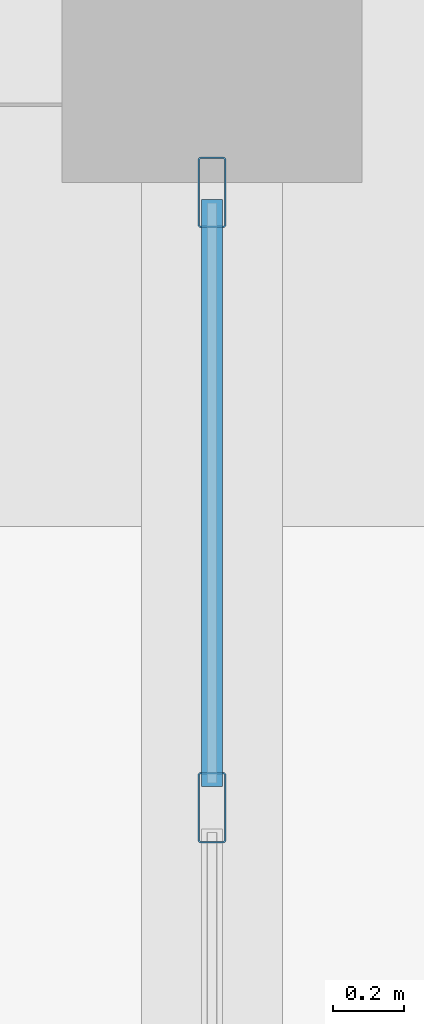
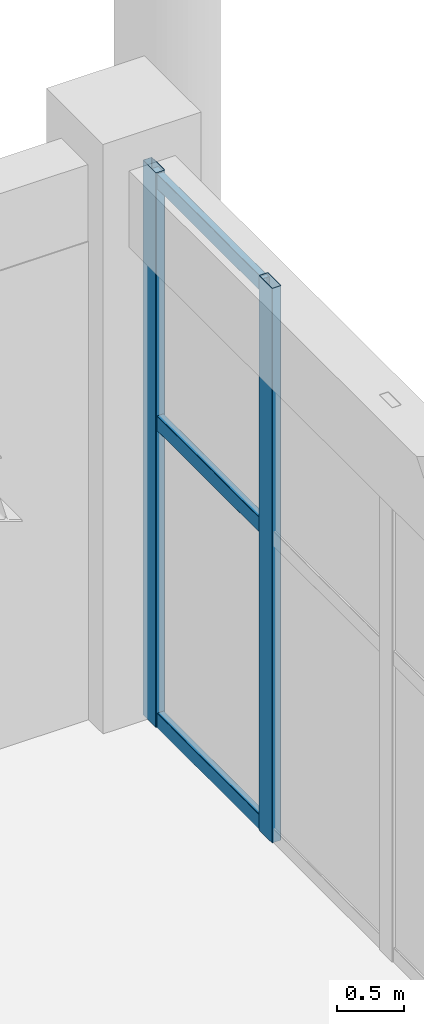
# One storey, part 51 of 121: 5 members, 1 element without a shape of its own.
"""IFC4 building model written with IfcOpenShell, lengths in metres."""

from ifc_helpers import new_model, si_unit, derived_unit, direction, frame, origin, origin_2d, place, context, subcontext, project, spatial, hollow_rectangle, extrude, material, material_profile, profile_set, type_object, element, aggregate, save


model = new_model("IFC4")

# Units and contexts
model_context = context("Model", 3, precision=1e-05, world=origin(), true_north=direction((0.0, 1.0)))
body_context = subcontext(model_context, "Body", "Model", "MODEL_VIEW")
ifc_project = project(units=[si_unit("LENGTHUNIT", "METRE"), si_unit("AREAUNIT", "SQUARE_METRE"), si_unit("VOLUMEUNIT", "CUBIC_METRE"), si_unit("PLANEANGLEUNIT", "RADIAN"), si_unit("MASSUNIT", "GRAM", prefix="KILO"), derived_unit("THERMALTRANSMITTANCEUNIT", [(si_unit("MASSUNIT", "GRAM", prefix="KILO"), 1), (si_unit("TIMEUNIT", "SECOND"), -3), (si_unit("THERMODYNAMICTEMPERATUREUNIT", "KELVIN"), -1)])], contexts=[model_context])

# Site, building, storey
site_placement = place(None, origin())
site = spatial("IfcSite", under=ifc_project, at=site_placement, CompositionType="ELEMENT")
building_placement = place(site_placement, origin())
building = spatial("IfcBuilding", under=site, at=building_placement, Name="Zhenchuan Archway Interchange", CompositionType="ELEMENT")
storey_placement = place(building_placement, origin())
storey = spatial("IfcBuildingStorey", under=building, at=storey_placement, Name="L00", CompositionType="ELEMENT", Elevation=0.0)

# Curtain wall, members
ifc_material = material(Name="Anodised Aluminium", Category="aluminium")
curtain_wall_type = type_object("IfcCurtainWallType", Name="CW_UNIT_4", PredefinedType="NOTDEFINED", material=ifc_material)
curtain_wall_placement = place(storey_placement, origin())
curtain_wall = element("IfcCurtainWall", 1, at=curtain_wall_placement, inside=storey, type_object=curtain_wall_type, Name="Unitised curtain wall CW:L00:007", PredefinedType="NOTDEFINED")
ifc_material_profile_1 = material_profile(ifc_material, hollow_rectangle(XDim=0.080078125, YDim=0.199951171875, WallThickness=0.00439453125, InnerFilletRadius=0.00439453125, OuterFilletRadius=0.009033203125, at=origin_2d()), Name="ALU 200x80x4.5")
ifc_profile_set_1 = profile_set([ifc_material_profile_1], Name="Anodised Aluminium")
member_type_1 = type_object("IfcMemberType", Name="CW_MUL_200", PredefinedType="MULLION", material=ifc_profile_set_1)
member_1_placement = place(storey_placement, frame((63.0, 95.547119140625, 0.0), z_axis=(0.0, 0.0, 1.0), x_axis=(1.0, 0.0, 0.0)))
member_1 = element("IfcMember", 2, at=member_1_placement, type_object=member_type_1, Name="CW:L00:007 mullion 0", PredefinedType="MULLION", context=body_context, shape_type="SweptSolid", body=[
    extrude(hollow_rectangle(XDim=0.080078125, YDim=0.199951171875, WallThickness=0.00439453125, InnerFilletRadius=0.00439453125, OuterFilletRadius=0.009033203125, at=origin_2d()), origin(), (0.0, 0.0, 1.0), 5.080078125),
])
member_2_placement = place(storey_placement, frame((63.0, 93.803466796875, 0.0), z_axis=(0.0, 0.0, 1.0), x_axis=(1.0, 0.0, 0.0)))
member_2 = element("IfcMember", 3, at=member_2_placement, type_object=member_type_1, Name="CW:L00:007 mullion 1", PredefinedType="MULLION", context=body_context, shape_type="SweptSolid", body=[
    extrude(hollow_rectangle(XDim=0.080078125, YDim=0.199951171875, WallThickness=0.00439453125, InnerFilletRadius=0.00439453125, OuterFilletRadius=0.009033203125, at=origin_2d()), origin(), (0.0, 0.0, 1.0), 5.080078125),
])
ifc_material_profile_2 = material_profile(ifc_material, hollow_rectangle(XDim=0.06005859375, YDim=0.139892578125, WallThickness=0.00341796875, InnerFilletRadius=0.00341796875, OuterFilletRadius=0.007080078125, at=origin_2d()), Name="ALU 140x60x3.5")
ifc_profile_set_2 = profile_set([ifc_material_profile_2], Name="Anodised Aluminium")
member_type_2 = type_object("IfcMemberType", Name="CW_TRN_140", PredefinedType="USERDEFINED", material=ifc_profile_set_2)
member_3_placement = place(storey_placement, frame((63.0, 95.527099609375, 0.06005859375), z_axis=(0.0, -1.0, 0.0), x_axis=(1.0, 0.0, 0.0)))
member_3 = element("IfcMember", 4, at=member_3_placement, type_object=member_type_2, Name="CW:L00:007 transom 0-1", ObjectType="TRANSOM", PredefinedType="USERDEFINED", context=body_context, shape_type="SweptSolid", body=[
    extrude(hollow_rectangle(XDim=0.06005859375, YDim=0.139892578125, WallThickness=0.00341796875, InnerFilletRadius=0.00341796875, OuterFilletRadius=0.007080078125, at=origin_2d()), origin(), (0.0, 0.0, 1.0), 1.66357421875),
])
member_4_placement = place(storey_placement, frame((63.0, 95.527099609375, 2.782958984375), z_axis=(0.0, -1.0, 0.0), x_axis=(1.0, 0.0, 0.0)))
member_4 = element("IfcMember", 5, at=member_4_placement, type_object=member_type_2, Name="CW:L00:007 transom 0-2", ObjectType="TRANSOM", PredefinedType="USERDEFINED", context=body_context, shape_type="SweptSolid", body=[
    extrude(hollow_rectangle(XDim=0.06005859375, YDim=0.139892578125, WallThickness=0.00341796875, InnerFilletRadius=0.00341796875, OuterFilletRadius=0.007080078125, at=origin_2d()), origin(), (0.0, 0.0, 1.0), 1.66357421875),
])
member_5_placement = place(storey_placement, frame((63.0, 95.527099609375, 5.0), z_axis=(0.0, -1.0, 0.0), x_axis=(1.0, 0.0, 0.0)))
member_5 = element("IfcMember", 6, at=member_5_placement, type_object=member_type_2, Name="CW:L00:007 transom 0-3", ObjectType="TRANSOM", PredefinedType="USERDEFINED", context=body_context, shape_type="SweptSolid", body=[
    extrude(hollow_rectangle(XDim=0.06005859375, YDim=0.139892578125, WallThickness=0.00341796875, InnerFilletRadius=0.00341796875, OuterFilletRadius=0.007080078125, at=origin_2d()), origin(), (0.0, 0.0, 1.0), 1.66357421875),
])
aggregate(curtain_wall, [member_1, member_2, member_3, member_4, member_5])

save(model, "model.ifc")
